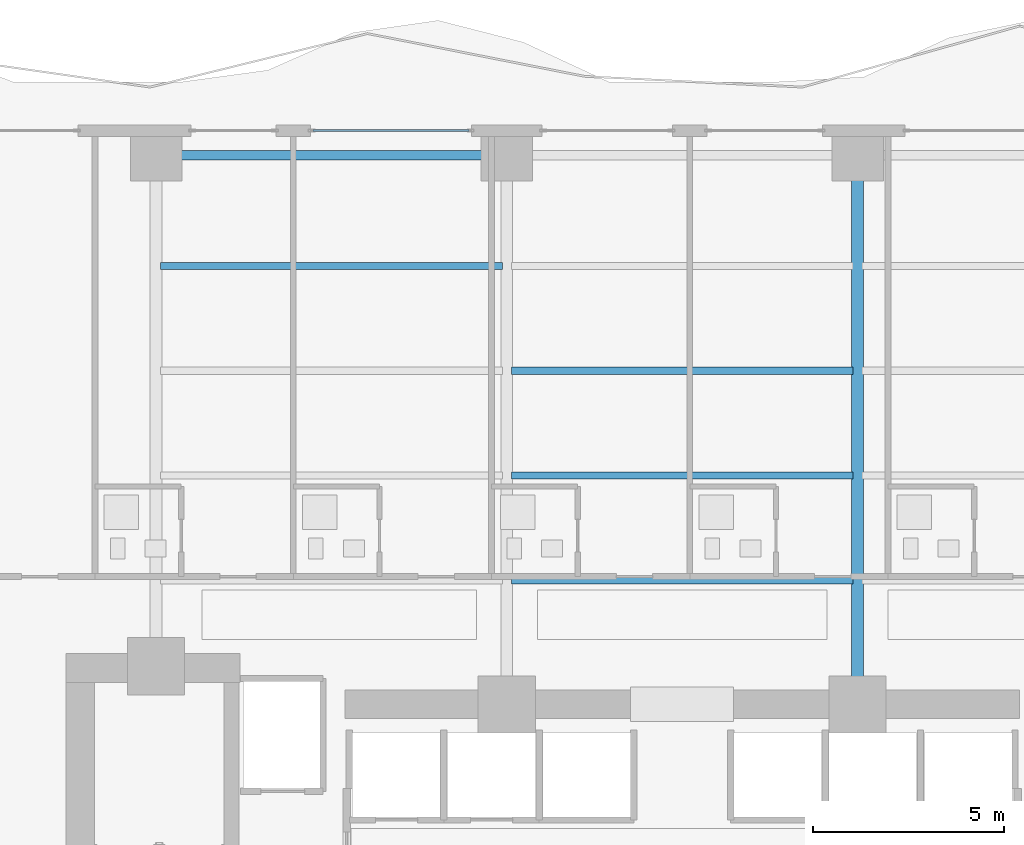
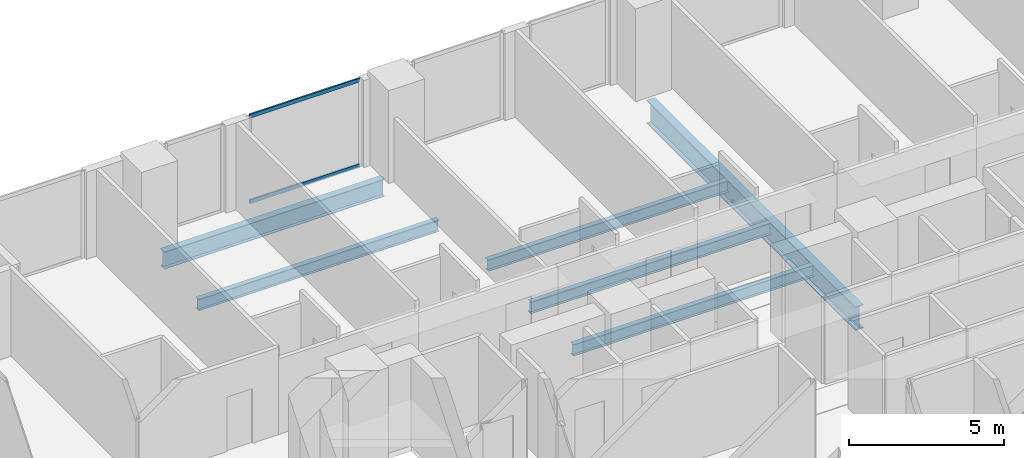
# One storey, part 16 of 29: 6 beams, 2 members, 1 element without a shape of its own.
"""IFC4 building model written with IfcOpenShell, lengths in metres."""

from ifc_helpers import new_model, si_unit, direction, frame, origin, origin_2d, place, context, subcontext, project, spatial, hollow_rectangle, i_section, extrude, material, layer, layer_set, material_profile, profile_set, type_object, element, aggregate, save


model = new_model("IFC4")

# Units and contexts
model_context = context("Model", 3, precision=1e-05, world=origin(), true_north=direction((0.0, 1.0)))
body_context = subcontext(model_context, "Body", "Model", "MODEL_VIEW")
ifc_project = project(units=[si_unit("LENGTHUNIT", "METRE"), si_unit("AREAUNIT", "SQUARE_METRE"), si_unit("VOLUMEUNIT", "CUBIC_METRE"), si_unit("PLANEANGLEUNIT", "RADIAN"), si_unit("MASSUNIT", "GRAM", prefix="KILO")], contexts=[model_context])

# Site, building, storey
site_placement = place(None, origin())
site = spatial("IfcSite", under=ifc_project, at=site_placement, CompositionType="ELEMENT")
building_placement = place(site_placement, origin())
building = spatial("IfcBuilding", under=site, at=building_placement, Name="Zuhayl Quay Hotel", CompositionType="ELEMENT")
storey_placement = place(building_placement, frame((0.0, 0.0, 150.39990234375)))
storey = spatial("IfcBuildingStorey", under=building, at=storey_placement, Name="L38", CompositionType="ELEMENT", Elevation=150.39990234375)

# Beams
ifc_material_1 = material(Name="Steel ASTM A992 Grade 50", Category="steel")
ifc_material_profile_1 = material_profile(ifc_material_1, i_section(OverallWidth=0.25390625, OverallDepth=0.68310546875, WebThickness=0.012451171875, FlangeThickness=0.018798828125, at=origin_2d()), Name="W27X94")
ifc_profile_set_1 = profile_set([ifc_material_profile_1], Name="Steel ASTM A992 Grade 50")
beam_type_1 = type_object("IfcBeamType", Name="BM_B2_W27X94", PredefinedType="BEAM", material=ifc_profile_set_1)
beam_1_placement = place(storey_placement, frame((-5.10009765625, 27.75, -0.5615234375), z_axis=(-1.0, 0.0, 0.0), x_axis=(0.0, -1.0, 0.0)))
element("IfcBeam", 1, at=beam_1_placement, inside=storey, type_object=beam_type_1, Name="L38 Floor Beam RG_L38_09", PredefinedType="BEAM", context=body_context, shape_type="SweptSolid", body=[
    extrude(i_section(OverallWidth=0.25390625, OverallDepth=0.68310546875, WebThickness=0.012451171875, FlangeThickness=0.018798828125, at=origin_2d()), origin(), (0.0, 0.0, 1.0), 8.199951171875),
])
ifc_material_profile_2 = material_profile(ifc_material_1, i_section(OverallWidth=0.18994140625, OverallDepth=0.45703125, WebThickness=0.009033203125, FlangeThickness=0.014404296875, at=origin_2d()), Name="W18X50")
ifc_profile_set_2 = profile_set([ifc_material_profile_2], Name="Steel ASTM A992 Grade 50")
beam_type_2 = type_object("IfcBeamType", Name="BM_J2_W18X50", PredefinedType="JOIST", material=ifc_profile_set_2)
for number, where, z_axis, x_axis, name in (
    (2, (-4.48095703125, 16.60009765625, -0.448486328125), (1.0, 0.0, 0.0), (0.0, 1.0, 0.0), "L38 Floor Beam FJ_L38_1_2"),
    (3, (-4.48095703125, 19.35009765625, -0.448486328125), (1.0, 0.0, 0.0), (0.0, 1.0, 0.0), "L38 Floor Beam FJ_L38_2_2"),
    (4, (-4.48095703125, 22.10009765625, -0.448486328125), (1.0, 0.0, 0.0), (0.0, 1.0, 0.0), "L38 Floor Beam FJ_L38_3_2"),
    (5, (-13.680908203125, 24.85009765625, -0.448486328125), (1.0, 0.0, 0.0), (0.0, 1.0, 0.0), "L38 Floor Beam FJ_L38_4_1"),
):
    element("IfcBeam", number, at=place(storey_placement, frame(where, z_axis=z_axis, x_axis=x_axis)), inside=storey, type_object=beam_type_2, Name=name, PredefinedType="JOIST", context=body_context, shape_type="SweptSolid", body=[
        extrude(i_section(OverallWidth=0.18994140625, OverallDepth=0.45703125, WebThickness=0.009033203125, FlangeThickness=0.014404296875, at=origin_2d()), origin(), (0.0, 0.0, 1.0), 8.9619140625),
    ])
ifc_material_profile_3 = material_profile(ifc_material_1, i_section(OverallWidth=0.306884765625, OverallDepth=0.927001953125, WebThickness=0.019287109375, FlangeThickness=0.031982421875, at=origin_2d()), Name="W36X194")
ifc_profile_set_3 = profile_set([ifc_material_profile_3], Name="Steel ASTM A992 Grade 50")
beam_type_3 = type_object("IfcBeamType", Name="BM_PG2_W36X194", PredefinedType="BEAM", material=ifc_profile_set_3)
beam_2_placement = place(storey_placement, frame((4.60009765625, 13.800048828125, -0.683349609375), z_axis=(0.0, 1.0, 0.0), x_axis=(-1.0, 0.0, 0.0)))
element("IfcBeam", 6, at=beam_2_placement, inside=storey, type_object=beam_type_3, Name="L38 Floor Beam FG_N_L38_3", PredefinedType="BEAM", context=body_context, shape_type="SweptSolid", body=[
    extrude(i_section(OverallWidth=0.306884765625, OverallDepth=0.927001953125, WebThickness=0.019287109375, FlangeThickness=0.031982421875, at=origin_2d()), origin(), (0.0, 0.0, 1.0), 13.449951171875),
])

# Curtain wall, members
ifc_material_2 = material(Name="Anodised Aluminium 6063-T6", Category="aluminium")
ifc_layer = layer(ifc_material_2, 0.179931640625, Name="Anodised Aluminium 6063-T6", Category="aluminium")
ifc_layer_set = layer_set([ifc_layer], Name="Anodised Aluminium 6063-T6")
curtain_wall_type = type_object("IfcCurtainWallType", Name="CW_SYS_Z2", PredefinedType="USERDEFINED", material=ifc_layer_set)
curtain_wall_placement = place(storey_placement, origin())
curtain_wall = element("IfcCurtainWall", 7, at=curtain_wall_placement, inside=storey, type_object=curtain_wall_type, Name="L38 Curtain Wall ENV_L38_N_CW3", ObjectType="UNITISED CURTAIN WALL", PredefinedType="USERDEFINED")
ifc_material_3 = material(Name="Black-anodised aluminium 6063-T6", Category="aluminium")
ifc_material_profile_4 = material_profile(ifc_material_3, hollow_rectangle(XDim=0.06005859375, YDim=0.14990234375, WallThickness=0.00341796875, at=origin_2d()), Name="ALU150X60")
ifc_profile_set_4 = profile_set([ifc_material_profile_4], Name="Black-anodised aluminium 6063-T6")
member_type = type_object("IfcMemberType", Name="MB_CW_TRN_150", PredefinedType="USERDEFINED", material=ifc_profile_set_4)
member_1_placement = place(storey_placement, frame((-9.68505859375, 28.39990234375, 0.030029296875), z_axis=(1.0, 0.0, 0.0), x_axis=(0.0, 1.0, 0.0)))
member_1 = element("IfcMember", 8, at=member_1_placement, type_object=member_type, Name="CW-Z2 transom 1.1", ObjectType="TRANSOM", PredefinedType="USERDEFINED", context=body_context, shape_type="SweptSolid", body=[
    extrude(hollow_rectangle(XDim=0.06005859375, YDim=0.14990234375, WallThickness=0.00341796875, at=origin_2d()), origin(), (0.0, 0.0, 1.0), 4.10009765625),
])
member_2_placement = place(storey_placement, frame((-9.68505859375, 28.39990234375, 3.400146484375), z_axis=(1.0, 0.0, 0.0), x_axis=(0.0, 1.0, 0.0)))
member_2 = element("IfcMember", 9, at=member_2_placement, type_object=member_type, Name="CW-Z2 transom 1.2", ObjectType="TRANSOM", PredefinedType="USERDEFINED", context=body_context, shape_type="SweptSolid", body=[
    extrude(hollow_rectangle(XDim=0.06005859375, YDim=0.14990234375, WallThickness=0.00341796875, at=origin_2d()), origin(), (0.0, 0.0, 1.0), 4.10009765625),
])
aggregate(curtain_wall, [member_1, member_2])

save(model, "model.ifc")
